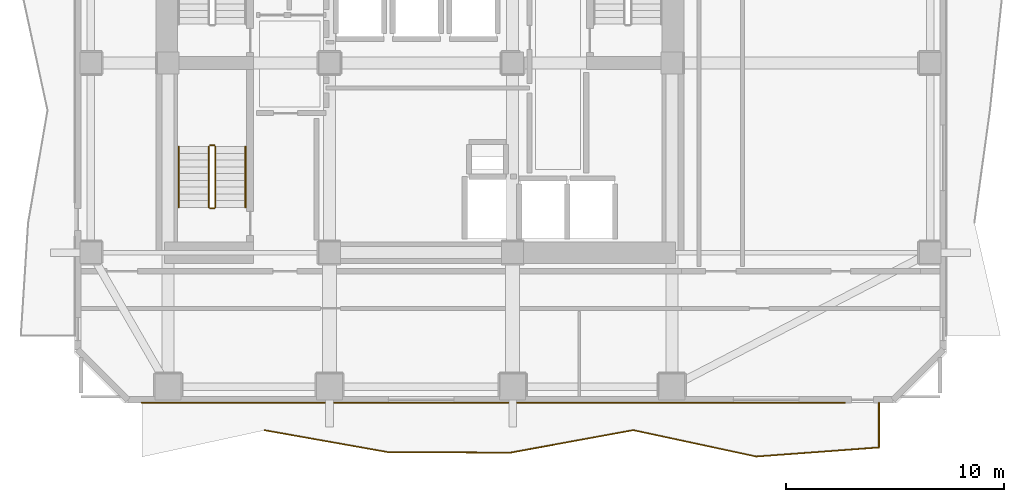
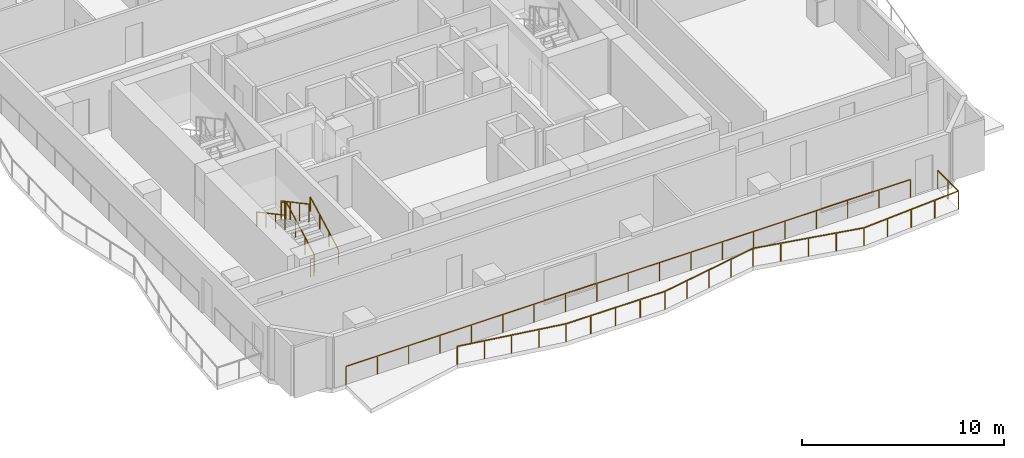
# One storey, part 8 of 11: 8 railings.
"""IFC4 building model written with IfcOpenShell, lengths in metres."""

from ifc_helpers import new_model, si_unit, direction, frame, origin, origin_2d, place, context, subcontext, project, spatial, rectangle, extrude, material, type_object, element, save


model = new_model("IFC4")

# Units and contexts
model_context = context("Model", 3, precision=1e-05, world=origin(), true_north=direction((0.0, 1.0)))
body_context = subcontext(model_context, "Body", "Model", "MODEL_VIEW")
ifc_project = project(units=[si_unit("LENGTHUNIT", "METRE"), si_unit("AREAUNIT", "SQUARE_METRE"), si_unit("VOLUMEUNIT", "CUBIC_METRE"), si_unit("PLANEANGLEUNIT", "RADIAN"), si_unit("MASSUNIT", "GRAM", prefix="KILO")], contexts=[model_context])

# Site, building, storey
site_placement = place(None, origin())
site = spatial("IfcSite", under=ifc_project, at=site_placement, CompositionType="ELEMENT")
building_placement = place(site_placement, origin())
building = spatial("IfcBuilding", under=site, at=building_placement, Name="Solanera Arch Residences", CompositionType="ELEMENT")
storey_placement = place(building_placement, frame((0.0, 0.0, 159.199951171875)))
storey = spatial("IfcBuildingStorey", under=building, at=storey_placement, Name="L46", CompositionType="ELEMENT", Elevation=159.199951171875)

# Railings
ifc_material_1 = material(Name="Steel S355 (ASTM A992 / A572 Grade 50)", Category="steel")
railing_type_1 = type_object("IfcRailingType", Name="Balustrade Railing BL-1100", PredefinedType="BALUSTRADE", material=ifc_material_1)
railing_1_placement = place(storey_placement, frame((17.8330078125, 13.85595703125, 0.0)))
element("IfcRailing", 1, at=railing_1_placement, inside=storey, type_object=railing_type_1, Name="L46 S Balcony Balustrade 1", PredefinedType="BALUSTRADE", context=body_context, shape_type="SweptSolid", body=[
    extrude(rectangle(XDim=0.048095703125, YDim=0.048095703125, at=origin_2d()), frame((0.0, 0.0, 1.09619140625), z_axis=(0.98455204942, -0.175092152828, 0.0), x_axis=(0.175092152828, 0.98455204942, 0.0)), (0.0, 0.0, 1.0), 5.722412109375),
    extrude(rectangle(XDim=0.048095703125, YDim=0.048095703125, at=origin_2d()), frame((5.634033203125, -1.001953125, 1.09619140625), z_axis=(0.999990228621, -0.004420708331, 0.0), x_axis=(0.004420708331, 0.999990228621, 0.0)), (0.0, 0.0, 1.0), 5.633056640625),
    extrude(rectangle(XDim=0.048095703125, YDim=0.048095703125, at=origin_2d()), frame((11.26708984375, -1.02685546875, 1.09619140625), z_axis=(0.983628227671, 0.180209627183, 0.0), x_axis=(-0.180209627183, 0.983628227671, 0.0)), (0.0, 0.0, 1.0), 5.7265625),
    extrude(rectangle(XDim=0.048095703125, YDim=0.048095703125, at=origin_2d()), frame((16.89990234375, 0.005126953125, 1.09619140625), z_axis=(0.977698754354, -0.21001225139, 0.0), x_axis=(0.21001225139, 0.977698754354, 0.0)), (0.0, 0.0, 1.0), 5.762451171875),
    extrude(rectangle(XDim=0.048095703125, YDim=0.048095703125, at=origin_2d()), frame((22.533935546875, -1.205078125, 1.09619140625), z_axis=(0.997284005213, 0.07365197178, 0.0), x_axis=(-0.07365197178, 0.997284005213, 0.0)), (0.0, 0.0, 1.0), 5.6484375),
    extrude(rectangle(XDim=0.048095703125, YDim=0.048095703125, at=origin_2d()), frame((28.1669921875, -0.7890625, 1.09619140625), z_axis=(0.0, 1.0, 0.0), x_axis=(-1.0, 0.0, 0.0)), (0.0, 0.0, 1.0), 2.05322265625),
    extrude(rectangle(XDim=0.0419921875, YDim=0.0419921875, at=origin_2d()), origin(), (0.0, 0.0, 1.0), 1.072021484375),
    extrude(rectangle(XDim=0.0419921875, YDim=0.0419921875, at=origin_2d()), frame((1.408447265625, -0.25048828125, 0.0)), (0.0, 0.0, 1.0), 1.072021484375),
    extrude(rectangle(XDim=0.0419921875, YDim=0.0419921875, at=origin_2d()), frame((2.81689453125, -0.5009765625, 0.0)), (0.0, 0.0, 1.0), 1.072021484375),
    extrude(rectangle(XDim=0.0419921875, YDim=0.0419921875, at=origin_2d()), frame((4.2255859375, -0.75146484375, 0.0)), (0.0, 0.0, 1.0), 1.072021484375),
    extrude(rectangle(XDim=0.0419921875, YDim=0.0419921875, at=origin_2d()), frame((5.634033203125, -1.001953125, 0.0)), (0.0, 0.0, 1.0), 1.072021484375),
    extrude(rectangle(XDim=0.0419921875, YDim=0.0419921875, at=origin_2d()), frame((7.042236328125, -1.00830078125, 0.0)), (0.0, 0.0, 1.0), 1.072021484375),
    extrude(rectangle(XDim=0.0419921875, YDim=0.0419921875, at=origin_2d()), frame((8.45068359375, -1.014404296875, 0.0)), (0.0, 0.0, 1.0), 1.072021484375),
    extrude(rectangle(XDim=0.0419921875, YDim=0.0419921875, at=origin_2d()), frame((9.85888671875, -1.0205078125, 0.0)), (0.0, 0.0, 1.0), 1.072021484375),
    extrude(rectangle(XDim=0.0419921875, YDim=0.0419921875, at=origin_2d()), frame((11.26708984375, -1.02685546875, 0.0)), (0.0, 0.0, 1.0), 1.072021484375),
    extrude(rectangle(XDim=0.0419921875, YDim=0.0419921875, at=origin_2d()), frame((12.67529296875, -0.768798828125, 0.0)), (0.0, 0.0, 1.0), 1.072021484375),
    extrude(rectangle(XDim=0.0419921875, YDim=0.0419921875, at=origin_2d()), frame((14.08349609375, -0.5107421875, 0.0)), (0.0, 0.0, 1.0), 1.072021484375),
    extrude(rectangle(XDim=0.0419921875, YDim=0.0419921875, at=origin_2d()), frame((15.49169921875, -0.2529296875, 0.0)), (0.0, 0.0, 1.0), 1.072021484375),
    extrude(rectangle(XDim=0.0419921875, YDim=0.0419921875, at=origin_2d()), frame((16.89990234375, 0.005126953125, 0.0)), (0.0, 0.0, 1.0), 1.072021484375),
    extrude(rectangle(XDim=0.0419921875, YDim=0.0419921875, at=origin_2d()), frame((18.308349609375, -0.29736328125, 0.0)), (0.0, 0.0, 1.0), 1.072021484375),
    extrude(rectangle(XDim=0.0419921875, YDim=0.0419921875, at=origin_2d()), frame((19.716796875, -0.60009765625, 0.0)), (0.0, 0.0, 1.0), 1.072021484375),
    extrude(rectangle(XDim=0.0419921875, YDim=0.0419921875, at=origin_2d()), frame((21.12548828125, -0.902587890625, 0.0)), (0.0, 0.0, 1.0), 1.072021484375),
    extrude(rectangle(XDim=0.0419921875, YDim=0.0419921875, at=origin_2d()), frame((22.533935546875, -1.205078125, 0.0)), (0.0, 0.0, 1.0), 1.072021484375),
    extrude(rectangle(XDim=0.0419921875, YDim=0.0419921875, at=origin_2d()), frame((23.942138671875, -1.10107421875, 0.0)), (0.0, 0.0, 1.0), 1.072021484375),
    extrude(rectangle(XDim=0.0419921875, YDim=0.0419921875, at=origin_2d()), frame((25.3505859375, -0.9970703125, 0.0)), (0.0, 0.0, 1.0), 1.072021484375),
    extrude(rectangle(XDim=0.0419921875, YDim=0.0419921875, at=origin_2d()), frame((26.7587890625, -0.89306640625, 0.0)), (0.0, 0.0, 1.0), 1.072021484375),
    extrude(rectangle(XDim=0.0419921875, YDim=0.0419921875, at=origin_2d()), frame((28.1669921875, -0.7890625, 0.0)), (0.0, 0.0, 1.0), 1.072021484375),
    extrude(rectangle(XDim=0.0419921875, YDim=0.0419921875, at=origin_2d()), frame((28.1669921875, 0.237548828125, 0.0)), (0.0, 0.0, 1.0), 1.072021484375),
    extrude(rectangle(XDim=0.0419921875, YDim=0.0419921875, at=origin_2d()), frame((28.1669921875, 1.26416015625, 0.0)), (0.0, 0.0, 1.0), 1.072021484375),
])
railing_2_placement = place(storey_placement, frame((44.44091796875, 15.1201171875, 0.0)))
element("IfcRailing", 2, at=railing_2_placement, inside=storey, type_object=railing_type_1, Name="L46 S Balcony Balustrade 2", PredefinedType="BALUSTRADE", context=body_context, shape_type="SweptSolid", body=[
    extrude(rectangle(XDim=0.048095703125, YDim=0.048095703125, at=origin_2d()), frame((0.0, 0.0, 1.09619140625), z_axis=(-1.0, 0.0, 0.0), x_axis=(0.0, -1.0, 0.0)), (0.0, 0.0, 1.0), 32.240966796875),
    extrude(rectangle(XDim=0.0419921875, YDim=0.0419921875, at=origin_2d()), origin(), (0.0, 0.0, 1.0), 1.072021484375),
    extrude(rectangle(XDim=0.0419921875, YDim=0.0419921875, at=origin_2d()), frame((-1.791259765625, 0.0, 0.0)), (0.0, 0.0, 1.0), 1.072021484375),
    extrude(rectangle(XDim=0.0419921875, YDim=0.0419921875, at=origin_2d()), frame((-3.582275390625, 0.0, 0.0)), (0.0, 0.0, 1.0), 1.072021484375),
    extrude(rectangle(XDim=0.0419921875, YDim=0.0419921875, at=origin_2d()), frame((-5.37353515625, 0.0, 0.0)), (0.0, 0.0, 1.0), 1.072021484375),
    extrude(rectangle(XDim=0.0419921875, YDim=0.0419921875, at=origin_2d()), frame((-7.16455078125, 0.0, 0.0)), (0.0, 0.0, 1.0), 1.072021484375),
    extrude(rectangle(XDim=0.0419921875, YDim=0.0419921875, at=origin_2d()), frame((-8.955810546875, 0.0, 0.0)), (0.0, 0.0, 1.0), 1.072021484375),
    extrude(rectangle(XDim=0.0419921875, YDim=0.0419921875, at=origin_2d()), frame((-10.7470703125, 0.0, 0.0)), (0.0, 0.0, 1.0), 1.072021484375),
    extrude(rectangle(XDim=0.0419921875, YDim=0.0419921875, at=origin_2d()), frame((-12.5380859375, 0.0, 0.0)), (0.0, 0.0, 1.0), 1.072021484375),
    extrude(rectangle(XDim=0.0419921875, YDim=0.0419921875, at=origin_2d()), frame((-14.329345703125, 0.0, 0.0)), (0.0, 0.0, 1.0), 1.072021484375),
    extrude(rectangle(XDim=0.0419921875, YDim=0.0419921875, at=origin_2d()), frame((-16.12060546875, 0.0, 0.0)), (0.0, 0.0, 1.0), 1.072021484375),
    extrude(rectangle(XDim=0.0419921875, YDim=0.0419921875, at=origin_2d()), frame((-17.91162109375, 0.0, 0.0)), (0.0, 0.0, 1.0), 1.072021484375),
    extrude(rectangle(XDim=0.0419921875, YDim=0.0419921875, at=origin_2d()), frame((-19.702880859375, 0.0, 0.0)), (0.0, 0.0, 1.0), 1.072021484375),
    extrude(rectangle(XDim=0.0419921875, YDim=0.0419921875, at=origin_2d()), frame((-21.493896484375, 0.0, 0.0)), (0.0, 0.0, 1.0), 1.072021484375),
    extrude(rectangle(XDim=0.0419921875, YDim=0.0419921875, at=origin_2d()), frame((-23.28515625, 0.0, 0.0)), (0.0, 0.0, 1.0), 1.072021484375),
    extrude(rectangle(XDim=0.0419921875, YDim=0.0419921875, at=origin_2d()), frame((-25.076416015625, 0.0, 0.0)), (0.0, 0.0, 1.0), 1.072021484375),
    extrude(rectangle(XDim=0.0419921875, YDim=0.0419921875, at=origin_2d()), frame((-26.867431640625, 0.0, 0.0)), (0.0, 0.0, 1.0), 1.072021484375),
    extrude(rectangle(XDim=0.0419921875, YDim=0.0419921875, at=origin_2d()), frame((-28.65869140625, 0.0, 0.0)), (0.0, 0.0, 1.0), 1.072021484375),
    extrude(rectangle(XDim=0.0419921875, YDim=0.0419921875, at=origin_2d()), frame((-30.44970703125, 0.0, 0.0)), (0.0, 0.0, 1.0), 1.072021484375),
    extrude(rectangle(XDim=0.0419921875, YDim=0.0419921875, at=origin_2d()), frame((-32.240966796875, 0.0, 0.0)), (0.0, 0.0, 1.0), 1.072021484375),
])
ifc_material_2 = material(Name="Steel S355 (ASTM A992 / A572 Grade 50)", Category="steel")
railing_type_2 = type_object("IfcRailingType", Name="Stair Guardrail GR-1100", PredefinedType="GUARDRAIL", material=ifc_material_2)
railing_3_placement = place(storey_placement, frame((15.570068359375, 24.080078125, 0.151123046875)))
element("IfcRailing", 3, at=railing_3_placement, inside=storey, type_object=railing_type_2, Name="L46 ST-T3 stair guard 1", PredefinedType="GUARDRAIL", context=body_context, shape_type="SweptSolid", body=[
    extrude(rectangle(XDim=0.048095703125, YDim=0.048095703125, at=origin_2d()), frame((0.0, 0.0, 1.076171875), z_axis=(0.0, 0.881580869306, 0.472033018838), x_axis=(-1.0, 0.0, 0.0)), (0.0, 0.0, 1.0), 3.164794921875),
    extrude(rectangle(XDim=0.0419921875, YDim=0.0419921875, at=origin_2d()), origin(), (0.0, 0.0, 1.0), 1.052001953125),
    extrude(rectangle(XDim=0.0419921875, YDim=0.0419921875, at=origin_2d()), frame((0.0, 0.929931640625, 0.498046875)), (0.0, 0.0, 1.0), 1.052001953125),
    extrude(rectangle(XDim=0.0419921875, YDim=0.0419921875, at=origin_2d()), frame((0.0, 1.860107421875, 0.995849609375)), (0.0, 0.0, 1.0), 1.052001953125),
    extrude(rectangle(XDim=0.0419921875, YDim=0.0419921875, at=origin_2d()), frame((0.0, 2.7900390625, 1.493896484375)), (0.0, 0.0, 1.0), 1.052001953125),
])
railing_4_placement = place(storey_placement, frame((15.52001953125, 26.919921875, 1.64501953125)))
element("IfcRailing", 4, at=railing_4_placement, inside=storey, type_object=railing_type_2, Name="L46 ST-T3 stair guard 2", PredefinedType="GUARDRAIL", context=body_context, shape_type="SweptSolid", body=[
    extrude(rectangle(XDim=0.048095703125, YDim=0.048095703125, at=origin_2d()), frame((0.0, 0.0, 1.076171875), z_axis=(-1.0, 0.0, 0.0), x_axis=(0.0, -1.0, 0.0)), (0.0, 0.0, 1.0), 0.199951171875),
    extrude(rectangle(XDim=0.0419921875, YDim=0.0419921875, at=origin_2d()), origin(), (0.0, 0.0, 1.0), 1.052001953125),
    extrude(rectangle(XDim=0.0419921875, YDim=0.0419921875, at=origin_2d()), frame((-0.199951171875, 0.0, 0.0)), (0.0, 0.0, 1.0), 1.052001953125),
])
railing_5_placement = place(storey_placement, frame((15.27001953125, 26.8701171875, 1.81103515625)))
element("IfcRailing", 5, at=railing_5_placement, inside=storey, type_object=railing_type_2, Name="L46 ST-T3 stair guard 3", PredefinedType="GUARDRAIL", context=body_context, shape_type="SweptSolid", body=[
    extrude(rectangle(XDim=0.048095703125, YDim=0.048095703125, at=origin_2d()), frame((0.0, 0.0, 1.076171875), z_axis=(0.0, -0.881580869306, 0.472033018838), x_axis=(1.0, 0.0, 0.0)), (0.0, 0.0, 1.0), 3.164794921875),
    extrude(rectangle(XDim=0.0419921875, YDim=0.0419921875, at=origin_2d()), origin(), (0.0, 0.0, 1.0), 1.052001953125),
    extrude(rectangle(XDim=0.0419921875, YDim=0.0419921875, at=origin_2d()), frame((0.0, -0.929931640625, 0.498046875)), (0.0, 0.0, 1.0), 1.052001953125),
    extrude(rectangle(XDim=0.0419921875, YDim=0.0419921875, at=origin_2d()), frame((0.0, -1.860107421875, 0.995849609375)), (0.0, 0.0, 1.0), 1.052001953125),
    extrude(rectangle(XDim=0.0419921875, YDim=0.0419921875, at=origin_2d()), frame((0.0, -2.7900390625, 1.493896484375)), (0.0, 0.0, 1.0), 1.052001953125),
])
railing_6_placement = place(storey_placement, frame((15.52001953125, 24.030029296875, -0.014892578125)))
element("IfcRailing", 6, at=railing_6_placement, inside=storey, type_object=railing_type_2, Name="L46 ST-T3 stair guard 4", PredefinedType="GUARDRAIL", context=body_context, shape_type="SweptSolid", body=[
    extrude(rectangle(XDim=0.048095703125, YDim=0.048095703125, at=origin_2d()), frame((0.0, 0.0, 1.076171875), z_axis=(-1.0, 0.0, 0.0), x_axis=(0.0, -1.0, 0.0)), (0.0, 0.0, 1.0), 0.199951171875),
    extrude(rectangle(XDim=0.0419921875, YDim=0.0419921875, at=origin_2d()), origin(), (0.0, 0.0, 1.0), 1.052001953125),
    extrude(rectangle(XDim=0.0419921875, YDim=0.0419921875, at=origin_2d()), frame((-0.199951171875, 0.0, 0.0)), (0.0, 0.0, 1.0), 1.052001953125),
])
ifc_material_3 = material(Name="Steel S355 (ASTM A992 / A572 Grade 50)", Category="steel")
railing_type_3 = type_object("IfcRailingType", Name="Stair Wall Handrail HR-920", PredefinedType="HANDRAIL", material=ifc_material_3)
railing_7_placement = place(storey_placement, frame((16.949951171875, 24.080078125, 0.166015625)))
element("IfcRailing", 7, at=railing_7_placement, inside=storey, type_object=railing_type_3, Name="L46 ST-T3 stair handrail 1", PredefinedType="HANDRAIL", context=body_context, shape_type="SweptSolid", body=[
    extrude(rectangle(XDim=0.048095703125, YDim=0.048095703125, at=origin_2d()), frame((0.0, 0.0, 0.8759765625), z_axis=(0.0, 0.881548766853, 0.472092969298), x_axis=(-1.0, 0.0, 0.0)), (0.0, 0.0, 1.0), 3.1650390625),
    extrude(rectangle(XDim=0.0419921875, YDim=0.0419921875, at=origin_2d()), origin(), (0.0, 0.0, 1.0), 0.851806640625),
    extrude(rectangle(XDim=0.0419921875, YDim=0.0419921875, at=origin_2d()), frame((0.0, 0.929931640625, 0.498046875)), (0.0, 0.0, 1.0), 0.851806640625),
    extrude(rectangle(XDim=0.0419921875, YDim=0.0419921875, at=origin_2d()), frame((0.0, 1.860107421875, 0.99609375)), (0.0, 0.0, 1.0), 0.851806640625),
    extrude(rectangle(XDim=0.0419921875, YDim=0.0419921875, at=origin_2d()), frame((0.0, 2.7900390625, 1.494140625)), (0.0, 0.0, 1.0), 0.851806640625),
])
railing_8_placement = place(storey_placement, frame((13.889892578125, 26.8701171875, 1.825927734375)))
element("IfcRailing", 8, at=railing_8_placement, inside=storey, type_object=railing_type_3, Name="L46 ST-T3 stair handrail 2", PredefinedType="HANDRAIL", context=body_context, shape_type="SweptSolid", body=[
    extrude(rectangle(XDim=0.048095703125, YDim=0.048095703125, at=origin_2d()), frame((0.0, 0.0, 0.8759765625), z_axis=(0.0, -0.881548766853, 0.472092969298), x_axis=(1.0, 0.0, 0.0)), (0.0, 0.0, 1.0), 3.1650390625),
    extrude(rectangle(XDim=0.0419921875, YDim=0.0419921875, at=origin_2d()), origin(), (0.0, 0.0, 1.0), 0.851806640625),
    extrude(rectangle(XDim=0.0419921875, YDim=0.0419921875, at=origin_2d()), frame((0.0, -0.929931640625, 0.498046875)), (0.0, 0.0, 1.0), 0.851806640625),
    extrude(rectangle(XDim=0.0419921875, YDim=0.0419921875, at=origin_2d()), frame((0.0, -1.860107421875, 0.99609375)), (0.0, 0.0, 1.0), 0.851806640625),
    extrude(rectangle(XDim=0.0419921875, YDim=0.0419921875, at=origin_2d()), frame((0.0, -2.7900390625, 1.494140625)), (0.0, 0.0, 1.0), 0.851806640625),
])

save(model, "model.ifc")
